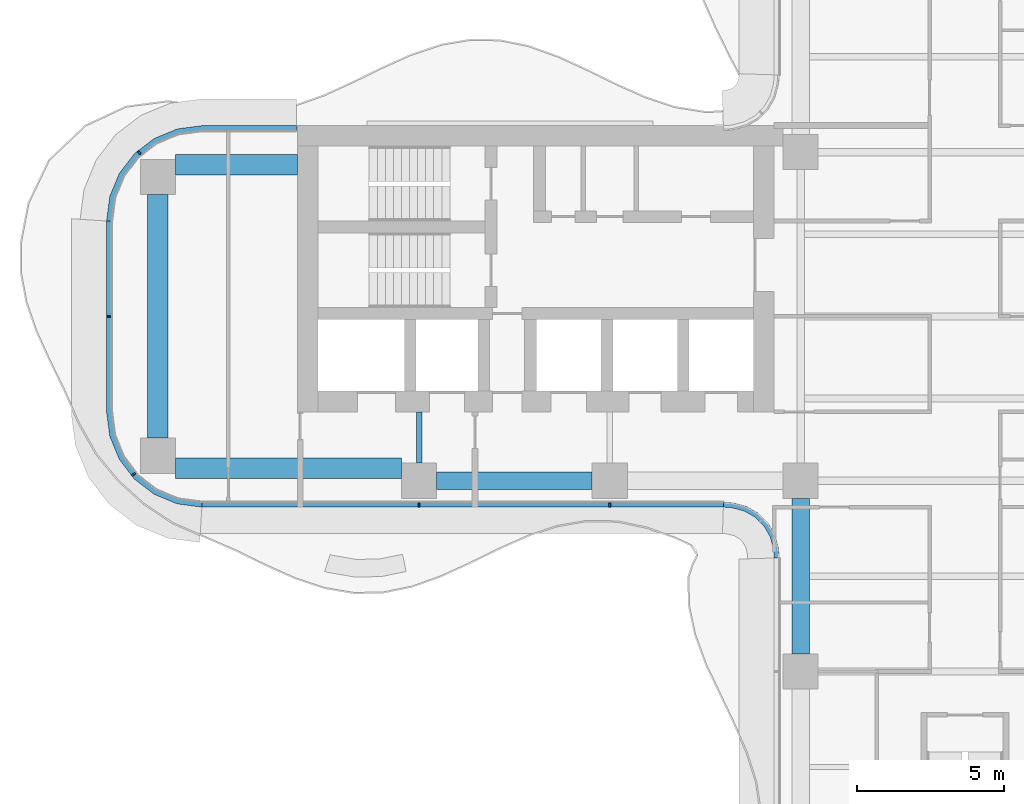
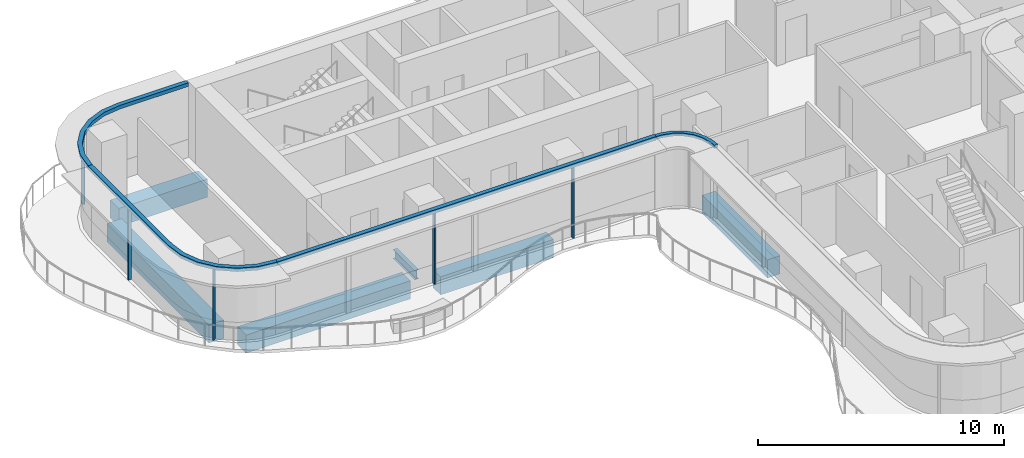
# One storey, part 3 of 17: 9 members, 6 beams, 4 elements without a shape of their own.
"""IFC4 building model written with IfcOpenShell, lengths in metres."""

from ifc_helpers import new_model, si_unit, direction, frame, origin, origin_2d, place, context, subcontext, project, spatial, polyline, rectangle, i_section, outline, extrude, source, transform, mapped, material, layer, layer_set, material_profile, profile_set, type_object, element, aggregate, save


model = new_model("IFC4")

# Units and contexts
model_context = context("Model", 3, precision=1e-05, world=origin(), true_north=direction((0.0, 1.0)))
body_context = subcontext(model_context, "Body", "Model", "MODEL_VIEW")
ifc_project = project(units=[si_unit("LENGTHUNIT", "METRE"), si_unit("AREAUNIT", "SQUARE_METRE"), si_unit("VOLUMEUNIT", "CUBIC_METRE"), si_unit("PLANEANGLEUNIT", "RADIAN"), si_unit("MASSUNIT", "GRAM", prefix="KILO")], contexts=[model_context])

# Site, building, storey
site_placement = place(None, origin())
site = spatial("IfcSite", under=ifc_project, at=site_placement, CompositionType="ELEMENT")
building_placement = place(site_placement, origin())
building = spatial("IfcBuilding", under=site, at=building_placement, Name="Trellis Farm Tower", CompositionType="ELEMENT")
storey_placement = place(building_placement, frame((0.0, 0.0, 173.699951171875)))
storey = spatial("IfcBuildingStorey", under=building, at=storey_placement, Name="L37", CompositionType="ELEMENT", Elevation=173.699951171875)

# Beams
ifc_material_1 = material(Name="Concrete C60/75", Category="concrete")
ifc_material_profile_1 = material_profile(ifc_material_1, rectangle(XDim=0.60009765625, YDim=0.89990234375, at=origin_2d()), Name="RC spandrel beam 600x900 C60/75")
ifc_profile_set_1 = profile_set([ifc_material_profile_1], Name="Concrete C60/75")
beam_type_1 = type_object("IfcBeamType", Name="RC spandrel beam 600x900 C60/75", PredefinedType="SPANDREL", material=ifc_profile_set_1)
shared_shape_1 = source(origin(), body_context, "Body", "SweptSolid", [
    extrude(rectangle(XDim=0.60009765625, YDim=0.89990234375, at=origin_2d()), origin(), (0.0, 0.0, 1.0), 5.300048828125),
])
for number, where, z_axis, x_axis, name in (
    (1, (-18.0, -5.60009765625, -0.64990234375), (1.0, 0.0, 0.0), (0.0, 1.0, 0.0), "Girder"),
    (2, (-5.60009765625, -11.5, -0.64990234375), (0.0, 1.0, 0.0), (-1.0, 0.0, 0.0), "Girder"),
):
    element("IfcBeam", number, at=place(storey_placement, frame(where, z_axis=z_axis, x_axis=x_axis)), inside=storey, type_object=beam_type_1, Name=name, PredefinedType="SPANDREL", context=body_context, shape_type="MappedRepresentation", body=[
        mapped(shared_shape_1, transform((0.0, 0.0, 0.0))),
    ])
ifc_material_profile_2 = material_profile(ifc_material_1, rectangle(XDim=0.699951171875, YDim=0.89990234375, at=origin_2d()), Name="RC spandrel beam 700x900 C60/75")
ifc_profile_set_2 = profile_set([ifc_material_profile_2], Name="Concrete C60/75")
beam_type_2 = type_object("IfcBeamType", Name="RC spandrel beam 700x900 C60/75", PredefinedType="SPANDREL", material=ifc_profile_set_2)
shared_shape_2 = source(origin(), body_context, "Body", "SweptSolid", [
    extrude(rectangle(XDim=0.699951171875, YDim=0.89990234375, at=origin_2d()), origin(), (0.0, 0.0, 1.0), 8.2998046875),
])
beam_1_placement = place(storey_placement, frame((-27.5, -4.14990234375, -0.64990234375), z_axis=(0.0, 1.0, 0.0), x_axis=(-1.0, 0.0, 0.0)))
element("IfcBeam", 3, at=beam_1_placement, inside=storey, type_object=beam_type_2, Name="Girder", PredefinedType="SPANDREL", context=body_context, shape_type="MappedRepresentation", body=[
    mapped(shared_shape_2, transform((0.0, 0.0, 0.0))),
])
ifc_material_2 = material(Name="Steel S355", Category="steel")
ifc_material_profile_3 = material_profile(ifc_material_2, i_section(OverallWidth=0.1904296875, OverallDepth=0.45703125, WebThickness=0.009033203125, FlangeThickness=0.014404296875, FilletRadius=0.01025390625, at=origin_2d()), Name="UB 457x191x74")
ifc_profile_set_3 = profile_set([ifc_material_profile_3], Name="Steel S355")
beam_type_3 = type_object("IfcBeamType", Name="UB 457x191x74", PredefinedType="BEAM", material=ifc_profile_set_3)
shared_shape_3 = source(origin(), body_context, "Body", "SweptSolid", [
    extrude(i_section(OverallWidth=0.1904296875, OverallDepth=0.45703125, WebThickness=0.009033203125, FlangeThickness=0.014404296875, FilletRadius=0.01025390625, at=origin_2d()), origin(), (0.0, 0.0, 1.0), 1.75),
])
beam_2_placement = place(storey_placement, frame((-18.60009765625, -5.0, -0.428466796875), z_axis=(0.0, 1.0, 0.0), x_axis=(-1.0, 0.0, 0.0)))
element("IfcBeam", 4, at=beam_2_placement, inside=storey, type_object=beam_type_3, Name="Girder", PredefinedType="BEAM", context=body_context, shape_type="MappedRepresentation", body=[
    mapped(shared_shape_3, transform((0.0, 0.0, 0.0))),
])
shared_shape_4 = source(origin(), body_context, "Body", "SweptSolid", [
    extrude(rectangle(XDim=0.699951171875, YDim=0.89990234375, at=origin_2d()), origin(), (0.0, 0.0, 1.0), 7.699951171875),
])
beam_3_placement = place(storey_placement, frame((-26.89990234375, -5.175048828125, -0.64990234375), z_axis=(1.0, 0.0, 0.0), x_axis=(0.0, 1.0, 0.0)))
element("IfcBeam", 5, at=beam_3_placement, inside=storey, type_object=beam_type_2, Name="Girder", PredefinedType="SPANDREL", context=body_context, shape_type="MappedRepresentation", body=[
    mapped(shared_shape_4, transform((0.0, 0.0, 0.0))),
])
shared_shape_5 = source(origin(), body_context, "Body", "SweptSolid", [
    extrude(rectangle(XDim=0.699951171875, YDim=0.89990234375, at=origin_2d()), origin(), (0.0, 0.0, 1.0), 4.14990234375),
])
beam_4_placement = place(storey_placement, frame((-26.89990234375, 5.175048828125, -0.64990234375), z_axis=(1.0, 0.0, 0.0), x_axis=(0.0, 1.0, 0.0)))
element("IfcBeam", 6, at=beam_4_placement, inside=storey, type_object=beam_type_2, Name="Girder", PredefinedType="SPANDREL", context=body_context, shape_type="MappedRepresentation", body=[
    mapped(shared_shape_5, transform((0.0, 0.0, 0.0))),
])

# Curtain wall, member
ifc_material_3 = material(Name="Aluminium and glass curtain wall", Category="aluminium")
ifc_layer_1 = layer(ifc_material_3, 0.166015625)
ifc_layer_set_1 = layer_set([ifc_layer_1], Name="WINTER GARDEN CURTAIN WALL CW3")
curtain_wall_type_1 = type_object("IfcCurtainWallType", Name="WINTER GARDEN CURTAIN WALL CW3", PredefinedType="NOTDEFINED", material=ifc_layer_set_1)
placement_1 = place(storey_placement, origin())
curtain_wall_1 = element("IfcCurtainWall", 7, at=placement_1, inside=storey, type_object=curtain_wall_type_1, Name="CW3 001", PredefinedType="NOTDEFINED")
ifc_material_4 = material(Name="Aluminium extrusion 6063-T6", Category="aluminium")
ifc_layer_2 = layer(ifc_material_4, 0.169921875)
ifc_layer_set_2 = layer_set([ifc_layer_2], Name="Aluminium extrusion 6063-T6")
member_type_1 = type_object("IfcMemberType", Name="CW3 TRANSOM 170x150", PredefinedType="USERDEFINED", material=ifc_layer_set_2)
shared_shape_6 = source(origin(), body_context, "Body", "SweptSolid", [
    extrude(outline(polyline([(-8.2314453125, -6.5), (-8.01953125, -6.513916015625), (-7.91552734375, -6.527587890625), (-7.508544921875, -6.63671875), (-7.144287109375, -6.846923828125), (-6.846923828125, -7.144287109375), (-6.63671875, -7.508544921875), (-6.527587890625, -7.91552734375), (-6.513916015625, -8.01953125), (-6.5, -8.2314453125), (-6.330078125, -8.225830078125), (-6.3447265625, -8.0029296875), (-6.360595703125, -7.88232421875), (-6.478271484375, -7.44287109375), (-6.7109375, -7.0400390625), (-7.0400390625, -6.7109375), (-7.44287109375, -6.478271484375), (-7.88232421875, -6.360595703125), (-8.0029296875, -6.3447265625), (-8.225830078125, -6.330078125), (-8.2314453125, -6.5)])), origin(), (0.0, 0.0, 1.0), 0.14990234375),
])
member_1_placement = place(storey_placement, frame((0.0, 0.0, 3.550048828125)))
member_1 = element("IfcMember", 8, at=member_1_placement, type_object=member_type_1, Name="TR3 001", ObjectType="TRANSOM", PredefinedType="USERDEFINED", context=body_context, shape_type="MappedRepresentation", body=[
    mapped(shared_shape_6, transform((0.0, 0.0, 0.0))),
])
aggregate(curtain_wall_1, [member_1])

# Curtain wall, members
ifc_layer_3 = layer(ifc_material_3, 0.18994140625)
ifc_layer_set_3 = layer_set([ifc_layer_3], Name="RIBBON CURTAIN WALL CW1")
curtain_wall_type_2 = type_object("IfcCurtainWallType", Name="RIBBON CURTAIN WALL CW1", PredefinedType="NOTDEFINED", material=ifc_layer_set_3)
curtain_wall_2 = element("IfcCurtainWall", 9, at=placement_1, inside=storey, type_object=curtain_wall_type_2, Name="CW1 001", PredefinedType="NOTDEFINED")
ifc_material_profile_4 = material_profile(ifc_material_4, rectangle(XDim=0.06005859375, YDim=0.14990234375, at=origin_2d()), Name="MULLION 60x150")
ifc_profile_set_4 = profile_set([ifc_material_profile_4], Name="Aluminium extrusion 6063-T6")
member_type_2 = type_object("IfcMemberType", Name="CW1 MULLION 60x150", PredefinedType="MULLION", material=ifc_profile_set_4)
shared_shape_7 = source(origin(), body_context, "Body", "SweptSolid", [
    extrude(rectangle(XDim=0.06005859375, YDim=0.14990234375, at=origin_2d()), origin(), (0.0, 0.0, 1.0), 3.52001953125),
])
member_2_placement = place(storey_placement, frame((-18.60009765625, -6.425048828125, 0.0), z_axis=(0.0, 0.0, 1.0), x_axis=(1.0, 0.0, 0.0)))
member_2 = element("IfcMember", 10, at=member_2_placement, type_object=member_type_2, Name="MU1 001-01", PredefinedType="MULLION", context=body_context, shape_type="MappedRepresentation", body=[
    mapped(shared_shape_7, transform((0.0, 0.0, 0.0))),
])
member_3_placement = place(storey_placement, frame((-12.10009765625, -6.425048828125, 0.0), z_axis=(0.0, 0.0, 1.0), x_axis=(1.0, 0.0, 0.0)))
member_3 = element("IfcMember", 11, at=member_3_placement, type_object=member_type_2, Name="MU1 001-02", PredefinedType="MULLION", context=body_context, shape_type="MappedRepresentation", body=[
    mapped(shared_shape_7, transform((0.0, 0.0, 0.0))),
])

# Curtain wall, member
curtain_wall_3 = element("IfcCurtainWall", 12, at=placement_1, inside=storey, type_object=curtain_wall_type_2, Name="CW1 012", PredefinedType="NOTDEFINED")
member_4_placement = place(storey_placement, frame((-28.135498046875, 5.578369140625, 0.0), z_axis=(0.0, 0.0, 1.0), x_axis=(-0.793353340291, -0.608761429009, 0.0)))
member_4 = element("IfcMember", 13, at=member_4_placement, type_object=member_type_2, Name="MU1 012-01", PredefinedType="MULLION", context=body_context, shape_type="MappedRepresentation", body=[
    mapped(shared_shape_7, transform((0.0, 0.0, 0.0))),
])

# Curtain wall, members
curtain_wall_4 = element("IfcCurtainWall", 14, at=placement_1, inside=storey, type_object=curtain_wall_type_2, Name="CW1 013", PredefinedType="NOTDEFINED")
member_5_placement = place(storey_placement, frame((-29.175048828125, 0.0, 0.0), z_axis=(0.0, 0.0, 1.0), x_axis=(0.0, -1.0, 0.0)))
member_5 = element("IfcMember", 15, at=member_5_placement, type_object=member_type_2, Name="MU1 013-01", PredefinedType="MULLION", context=body_context, shape_type="MappedRepresentation", body=[
    mapped(shared_shape_7, transform((0.0, 0.0, 0.0))),
])
member_6_placement = place(storey_placement, frame((-28.328369140625, -5.385498046875, 0.0), z_axis=(0.0, 0.0, 1.0), x_axis=(0.608761429009, -0.793353340291, 0.0)))
member_6 = element("IfcMember", 16, at=member_6_placement, type_object=member_type_2, Name="MU1 013-02", PredefinedType="MULLION", context=body_context, shape_type="MappedRepresentation", body=[
    mapped(shared_shape_7, transform((0.0, 0.0, 0.0))),
])

# Member
ifc_layer_4 = layer(ifc_material_4, 0.199951171875)
ifc_layer_set_4 = layer_set([ifc_layer_4], Name="Aluminium extrusion 6063-T6")
member_type_3 = type_object("IfcMemberType", Name="CW1 TRANSOM 200x180", PredefinedType="USERDEFINED", material=ifc_layer_set_4)
shared_shape_8 = source(origin(), body_context, "Body", "SweptSolid", [
    extrude(outline(polyline([(-26.0, -6.5), (-8.2314453125, -6.5), (-8.224853515625, -6.300048828125), (-25.98681640625, -6.300048828125), (-26.0, -6.5)])), origin(), (0.0, 0.0, 1.0), 0.179931640625),
])
placement_2 = place(storey_placement, frame((0.0, 0.0, 3.52001953125)))
member_7 = element("IfcMember", 17, at=placement_2, type_object=member_type_3, Name="TR1 001", ObjectType="TRANSOM", PredefinedType="USERDEFINED", context=body_context, shape_type="MappedRepresentation", body=[
    mapped(shared_shape_8, transform((0.0, 0.0, 0.0))),
])

aggregate(curtain_wall_2, [member_2, member_3, member_7])

shared_shape_9 = source(origin(), body_context, "Body", "SweptSolid", [
    extrude(outline(polyline([(-22.780029296875, 6.5), (-26.0, 6.5), (-26.841064453125, 6.38916015625), (-27.625, 6.064697265625), (-28.298095703125, 5.548095703125), (-28.814697265625, 4.875), (-29.13916015625, 4.091064453125), (-29.25, 3.25), (-29.050048828125, 3.23681640625), (-28.9443359375, 4.0390625), (-28.639892578125, 4.774169921875), (-28.155517578125, 5.405517578125), (-27.524169921875, 5.889892578125), (-26.7890625, 6.1943359375), (-25.98681640625, 6.300048828125), (-22.780029296875, 6.300048828125), (-22.780029296875, 6.5)])), origin(), (0.0, 0.0, 1.0), 0.179931640625),
])
member_8 = element("IfcMember", 18, at=placement_2, type_object=member_type_3, Name="TR1 012", ObjectType="TRANSOM", PredefinedType="USERDEFINED", context=body_context, shape_type="MappedRepresentation", body=[
    mapped(shared_shape_9, transform((0.0, 0.0, 0.0))),
])

aggregate(curtain_wall_3, [member_4, member_8])

shared_shape_10 = source(origin(), body_context, "Body", "SweptSolid", [
    extrude(outline(polyline([(-29.25, 3.25), (-29.25, -3.25), (-29.13916015625, -4.091064453125), (-28.814697265625, -4.875), (-28.298095703125, -5.548095703125), (-27.625, -6.064697265625), (-26.841064453125, -6.38916015625), (-26.0, -6.5), (-25.98681640625, -6.300048828125), (-26.7890625, -6.1943359375), (-27.524169921875, -5.889892578125), (-28.155517578125, -5.405517578125), (-28.639892578125, -4.774169921875), (-28.9443359375, -4.0390625), (-29.050048828125, -3.23681640625), (-29.050048828125, 3.23681640625), (-29.25, 3.25)])), origin(), (0.0, 0.0, 1.0), 0.179931640625),
])
member_9 = element("IfcMember", 19, at=placement_2, type_object=member_type_3, Name="TR1 013", ObjectType="TRANSOM", PredefinedType="USERDEFINED", context=body_context, shape_type="MappedRepresentation", body=[
    mapped(shared_shape_10, transform((0.0, 0.0, 0.0))),
])

aggregate(curtain_wall_4, [member_5, member_6, member_9])

save(model, "model.ifc")
